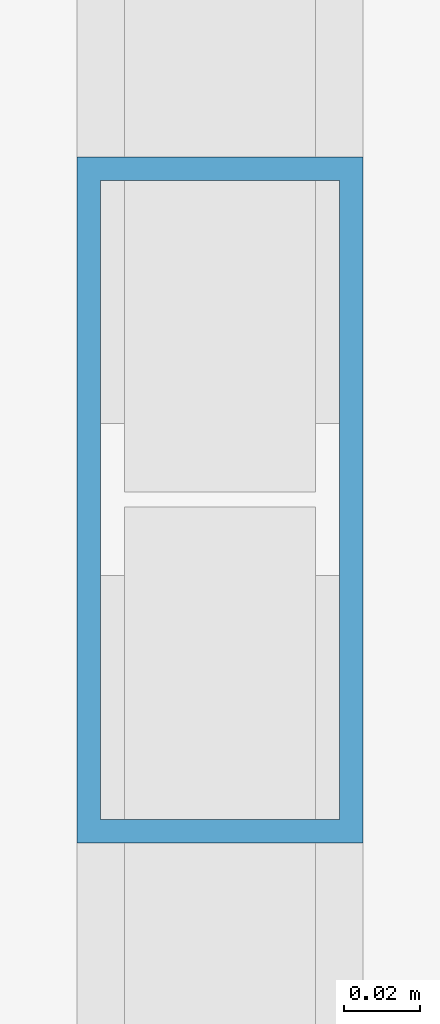
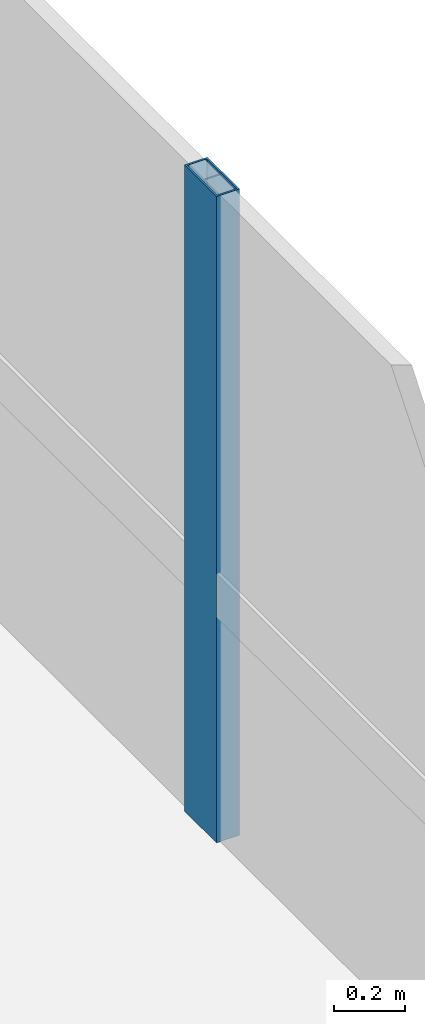
# One storey, part 21 of 44: 1 member, 1 element without a shape of its own.
"""IFC4 building model written with IfcOpenShell, lengths in metres."""

from ifc_helpers import new_model, si_unit, direction, frame, origin, origin_2d, place, context, subcontext, project, spatial, hollow_rectangle, extrude, material, material_profile, profile_set, type_object, element, aggregate, save


model = new_model("IFC4")

# Units and contexts
model_context = context("Model", 3, precision=1e-05, world=origin(), true_north=direction((0.0, 1.0)))
body_context = subcontext(model_context, "Body", "Model", "MODEL_VIEW")
ifc_project = project(units=[si_unit("LENGTHUNIT", "METRE"), si_unit("AREAUNIT", "SQUARE_METRE"), si_unit("VOLUMEUNIT", "CUBIC_METRE"), si_unit("PLANEANGLEUNIT", "RADIAN"), si_unit("MASSUNIT", "GRAM", prefix="KILO")], contexts=[model_context])

# Site, building, storey
site_placement = place(None, origin())
site = spatial("IfcSite", under=ifc_project, at=site_placement, CompositionType="ELEMENT")
building_placement = place(site_placement, origin())
building = spatial("IfcBuilding", under=site, at=building_placement, Name="Thornwick Lancets Civic Towers", CompositionType="ELEMENT")
storey_placement = place(building_placement, frame((0.0, 0.0, 294.89990234375)))
storey = spatial("IfcBuildingStorey", under=building, at=storey_placement, Name="C06", CompositionType="ELEMENT", Elevation=294.89990234375)

# Curtain wall, member
ifc_material_1 = material(Name="Crown ring acoustic-louvre and glazing screen wall", Category="glass")
curtain_wall_type = type_object("IfcCurtainWallType", Name="CW_SYS_07", PredefinedType="NOTDEFINED", material=ifc_material_1)
curtain_wall_placement = place(storey_placement, origin())
curtain_wall = element("IfcCurtainWall", 1, at=curtain_wall_placement, inside=storey, type_object=curtain_wall_type, Name="C06 Curtain Wall CW-C06-A-E2", PredefinedType="NOTDEFINED")
ifc_material_2 = material(Name="Thermally broken bronze aluminium S355", Category="steel")
ifc_material_profile = material_profile(ifc_material_2, hollow_rectangle(XDim=0.074951171875, YDim=0.179931640625, WallThickness=0.006103515625, at=origin_2d()), Name="RHS 180x75x6")
ifc_profile_set = profile_set([ifc_material_profile], Name="Thermally broken bronze aluminium S355")
member_type = type_object("IfcMemberType", Name="CW_MUL_180", PredefinedType="MULLION", material=ifc_profile_set)
member_placement = place(storey_placement, frame((49.2646484375, 30.03369140625, 0.0), z_axis=(0.0, 0.0, 1.0), x_axis=(1.0, 0.0, 0.0)))
member = element("IfcMember", 2, at=member_placement, type_object=member_type, Name="CW-C06-A-E2 Mullion 2", PredefinedType="MULLION", context=body_context, shape_type="SweptSolid", body=[
    extrude(hollow_rectangle(XDim=0.074951171875, YDim=0.179931640625, WallThickness=0.006103515625, at=origin_2d()), origin(), (0.0, 0.0, 1.0), 2.22021484375),
])
aggregate(curtain_wall, [member])

save(model, "model.ifc")
